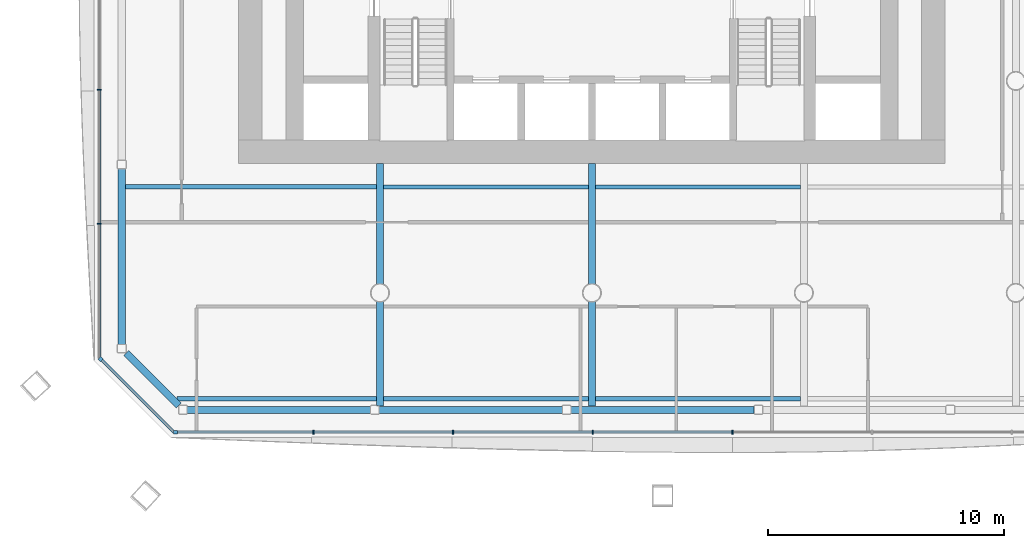
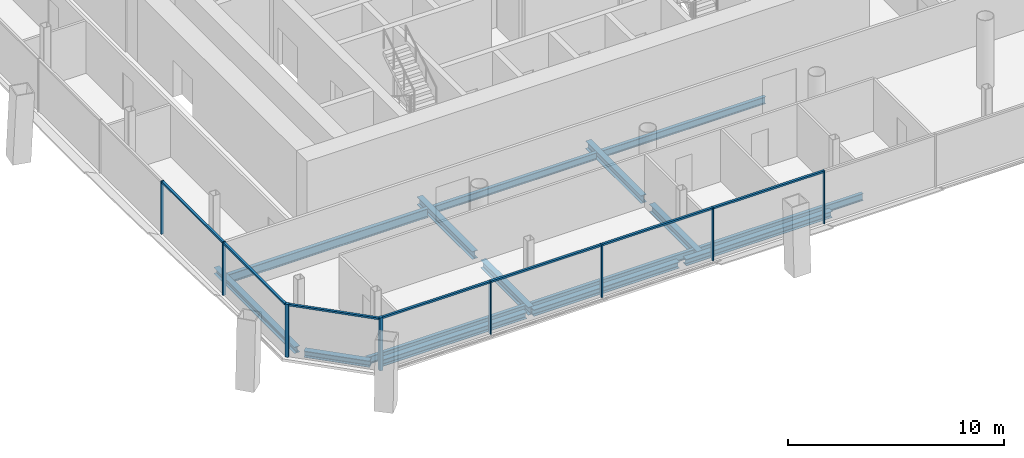
# One storey, part 3 of 19: 15 beams, 15 members, 3 elements without a shape of their own.
"""IFC4 building model written with IfcOpenShell, lengths in metres."""

from ifc_helpers import new_model, si_unit, direction, frame, origin, origin_2d, place, context, subcontext, project, spatial, rectangle, i_section, extrude, material, material_profile, profile_set, type_object, element, aggregate, save


model = new_model("IFC4")

# Units and contexts
model_context = context("Model", 3, precision=1e-05, world=origin(), true_north=direction((0.0, 1.0)))
body_context = subcontext(model_context, "Body", "Model", "MODEL_VIEW")
ifc_project = project(units=[si_unit("LENGTHUNIT", "METRE"), si_unit("AREAUNIT", "SQUARE_METRE"), si_unit("VOLUMEUNIT", "CUBIC_METRE"), si_unit("PLANEANGLEUNIT", "RADIAN"), si_unit("MASSUNIT", "GRAM", prefix="KILO")], contexts=[model_context])

# Site, building, storey
site_placement = place(None, origin())
site = spatial("IfcSite", under=ifc_project, at=site_placement, CompositionType="ELEMENT")
building_placement = place(site_placement, origin())
building = spatial("IfcBuilding", under=site, at=building_placement, Name="Tskaro Facet Tower", CompositionType="ELEMENT")
storey_placement = place(building_placement, frame((0.0, 0.0, 105.0)))
storey = spatial("IfcBuildingStorey", under=building, at=storey_placement, Name="L25", CompositionType="ELEMENT", Elevation=105.0)

# Curtain wall, member
ifc_material_1 = material(Name="Bronze anodised aluminium 6063-T6", Category="aluminium")
curtain_wall_type = type_object("IfcCurtainWallType", Name="Bronze office curtain wall (FW1)", PredefinedType="NOTDEFINED", material=ifc_material_1)
curtain_wall_1_placement = place(storey_placement, origin())
curtain_wall_1 = element("IfcCurtainWall", 1, at=curtain_wall_1_placement, inside=storey, type_object=curtain_wall_type, Name="FW1 south facet L25", PredefinedType="NOTDEFINED")
ifc_material_profile_1 = material_profile(ifc_material_1, rectangle(XDim=0.159912109375, YDim=0.159912109375, at=origin_2d()), Name="Corner post 160x160")
ifc_profile_set_1 = profile_set([ifc_material_profile_1], Name="Bronze anodised aluminium 6063-T6")
member_type_1 = type_object("IfcMemberType", Name="FW1 bronze corner post 160x160", PredefinedType="MULLION", material=ifc_profile_set_1)
member_1_placement = place(storey_placement, frame((-17.677001953125, -23.9150390625, 0.0), z_axis=(0.0, 0.0, 1.0), x_axis=(1.0, 0.0, 0.0)))
member_1 = element("IfcMember", 2, at=member_1_placement, type_object=member_type_1, Name="FW1 south corner post", PredefinedType="MULLION", context=body_context, shape_type="SweptSolid", body=[
    extrude(rectangle(XDim=0.159912109375, YDim=0.159912109375, at=origin_2d()), origin(), (0.0, 0.0, 1.0), 2.989990234375),
])

curtain_wall_2_placement = place(storey_placement, origin())
curtain_wall_2 = element("IfcCurtainWall", 3, at=curtain_wall_2_placement, inside=storey, type_object=curtain_wall_type, Name="FW1 south-west facet L25", PredefinedType="NOTDEFINED")
member_2_placement = place(storey_placement, frame((-20.8583984375, -20.8134765625, 0.0), z_axis=(0.0, 0.0, 1.0), x_axis=(0.707106781187, -0.707106781187, 0.0)))
member_2 = element("IfcMember", 4, at=member_2_placement, type_object=member_type_1, Name="FW1 south-west corner post", PredefinedType="MULLION", context=body_context, shape_type="SweptSolid", body=[
    extrude(rectangle(XDim=0.159912109375, YDim=0.159912109375, at=origin_2d()), origin(), (0.0, 0.0, 1.0), 2.989990234375),
])

# Member
ifc_material_profile_2 = material_profile(ifc_material_1, rectangle(XDim=0.06005859375, YDim=0.159912109375, at=origin_2d()), Name="Mullion 60x160")
ifc_profile_set_2 = profile_set([ifc_material_profile_2], Name="Bronze anodised aluminium 6063-T6")
member_type_2 = type_object("IfcMemberType", Name="FW1 bronze mullion 60x160", PredefinedType="MULLION", material=ifc_profile_set_2)
member_3_placement = place(storey_placement, frame((-11.826416015625, -23.9150390625, 0.0), z_axis=(0.0, 0.0, 1.0), x_axis=(1.0, 0.0, 0.0)))
member_3 = element("IfcMember", 5, at=member_3_placement, type_object=member_type_2, Name="FW1 south mullion 1", PredefinedType="MULLION", context=body_context, shape_type="SweptSolid", body=[
    extrude(rectangle(XDim=0.06005859375, YDim=0.159912109375, at=origin_2d()), origin(), (0.0, 0.0, 1.0), 2.989990234375),
])

member_4_placement = place(storey_placement, frame((-5.895751953125, -23.9150390625, 0.0), z_axis=(0.0, 0.0, 1.0), x_axis=(1.0, 0.0, 0.0)))
member_4 = element("IfcMember", 6, at=member_4_placement, type_object=member_type_2, Name="FW1 south mullion 2", PredefinedType="MULLION", context=body_context, shape_type="SweptSolid", body=[
    extrude(rectangle(XDim=0.06005859375, YDim=0.159912109375, at=origin_2d()), origin(), (0.0, 0.0, 1.0), 2.989990234375),
])

member_5_placement = place(storey_placement, frame((0.03466796875, -23.9150390625, 0.0), z_axis=(0.0, 0.0, 1.0), x_axis=(1.0, 0.0, 0.0)))
member_5 = element("IfcMember", 7, at=member_5_placement, type_object=member_type_2, Name="FW1 south mullion 3", PredefinedType="MULLION", context=body_context, shape_type="SweptSolid", body=[
    extrude(rectangle(XDim=0.06005859375, YDim=0.159912109375, at=origin_2d()), origin(), (0.0, 0.0, 1.0), 2.989990234375),
])

member_6_placement = place(storey_placement, frame((5.96533203125, -23.9150390625, 0.0), z_axis=(0.0, 0.0, 1.0), x_axis=(1.0, 0.0, 0.0)))
member_6 = element("IfcMember", 8, at=member_6_placement, type_object=member_type_2, Name="FW1 south mullion 4", PredefinedType="MULLION", context=body_context, shape_type="SweptSolid", body=[
    extrude(rectangle(XDim=0.06005859375, YDim=0.159912109375, at=origin_2d()), origin(), (0.0, 0.0, 1.0), 2.989990234375),
])

# Curtain wall, members
curtain_wall_3_placement = place(storey_placement, origin())
curtain_wall_3 = element("IfcCurtainWall", 9, at=curtain_wall_3_placement, inside=storey, type_object=curtain_wall_type, Name="FW1 west facet L25", PredefinedType="NOTDEFINED")
member_7_placement = place(storey_placement, frame((-20.9150390625, -9.3740234375, 0.0), z_axis=(0.0, 0.0, 1.0), x_axis=(0.0, -1.0, 0.0)))
member_7 = element("IfcMember", 10, at=member_7_placement, type_object=member_type_2, Name="FW1 west mullion 5", PredefinedType="MULLION", context=body_context, shape_type="SweptSolid", body=[
    extrude(rectangle(XDim=0.06005859375, YDim=0.159912109375, at=origin_2d()), origin(), (0.0, 0.0, 1.0), 2.989990234375),
])
member_8_placement = place(storey_placement, frame((-20.9150390625, -15.065673828125, 0.0), z_axis=(0.0, 0.0, 1.0), x_axis=(0.0, -1.0, 0.0)))
member_8 = element("IfcMember", 11, at=member_8_placement, type_object=member_type_2, Name="FW1 west mullion 6", PredefinedType="MULLION", context=body_context, shape_type="SweptSolid", body=[
    extrude(rectangle(XDim=0.06005859375, YDim=0.159912109375, at=origin_2d()), origin(), (0.0, 0.0, 1.0), 2.989990234375),
])

# Member
ifc_material_profile_3 = material_profile(ifc_material_1, rectangle(XDim=0.1201171875, YDim=0.10009765625, at=origin_2d()), Name="Transom 120x100")
ifc_profile_set_3 = profile_set([ifc_material_profile_3], Name="Bronze anodised aluminium 6063-T6")
member_type_3 = type_object("IfcMemberType", Name="FW1 bronze transom 120x100", PredefinedType="USERDEFINED", material=ifc_profile_set_3)
member_9_placement = place(storey_placement, frame((-17.596923828125, -23.9150390625, 2.93994140625), z_axis=(1.0, 0.0, 0.0), x_axis=(0.0, 1.0, 0.0)))
member_9 = element("IfcMember", 12, at=member_9_placement, type_object=member_type_3, Name="FW1 south transom 1.1", ObjectType="TRANSOM", PredefinedType="USERDEFINED", context=body_context, shape_type="SweptSolid", body=[
    extrude(rectangle(XDim=0.1201171875, YDim=0.10009765625, at=origin_2d()), origin(), (0.0, 0.0, 1.0), 5.740478515625),
])

member_10_placement = place(storey_placement, frame((-11.79638671875, -23.9150390625, 2.93994140625), z_axis=(1.0, 0.0, 0.0), x_axis=(0.0, 1.0, 0.0)))
member_10 = element("IfcMember", 13, at=member_10_placement, type_object=member_type_3, Name="FW1 south transom 2.1", ObjectType="TRANSOM", PredefinedType="USERDEFINED", context=body_context, shape_type="SweptSolid", body=[
    extrude(rectangle(XDim=0.1201171875, YDim=0.10009765625, at=origin_2d()), origin(), (0.0, 0.0, 1.0), 5.87060546875),
])

member_11_placement = place(storey_placement, frame((-5.865966796875, -23.9150390625, 2.93994140625), z_axis=(1.0, 0.0, 0.0), x_axis=(0.0, 1.0, 0.0)))
member_11 = element("IfcMember", 14, at=member_11_placement, type_object=member_type_3, Name="FW1 south transom 3.1", ObjectType="TRANSOM", PredefinedType="USERDEFINED", context=body_context, shape_type="SweptSolid", body=[
    extrude(rectangle(XDim=0.1201171875, YDim=0.10009765625, at=origin_2d()), origin(), (0.0, 0.0, 1.0), 5.87060546875),
])

member_12_placement = place(storey_placement, frame((0.064697265625, -23.9150390625, 2.93994140625), z_axis=(1.0, 0.0, 0.0), x_axis=(0.0, 1.0, 0.0)))
member_12 = element("IfcMember", 15, at=member_12_placement, type_object=member_type_3, Name="FW1 south transom 4.1", ObjectType="TRANSOM", PredefinedType="USERDEFINED", context=body_context, shape_type="SweptSolid", body=[
    extrude(rectangle(XDim=0.1201171875, YDim=0.10009765625, at=origin_2d()), origin(), (0.0, 0.0, 1.0), 5.87060546875),
])

aggregate(curtain_wall_1, [member_1, member_3, member_4, member_5, member_6, member_9, member_10, member_11, member_12])

member_13_placement = place(storey_placement, frame((-20.9150390625, -9.404052734375, 2.93994140625), z_axis=(0.0, -1.0, 0.0), x_axis=(1.0, 0.0, 0.0)))
member_13 = element("IfcMember", 16, at=member_13_placement, type_object=member_type_3, Name="FW1 west transom 6.1", ObjectType="TRANSOM", PredefinedType="USERDEFINED", context=body_context, shape_type="SweptSolid", body=[
    extrude(rectangle(XDim=0.1201171875, YDim=0.10009765625, at=origin_2d()), origin(), (0.0, 0.0, 1.0), 5.631591796875),
])

member_14_placement = place(storey_placement, frame((-20.9150390625, -15.095458984375, 2.93994140625), z_axis=(0.0, -1.0, 0.0), x_axis=(1.0, 0.0, 0.0)))
member_14 = element("IfcMember", 17, at=member_14_placement, type_object=member_type_3, Name="FW1 west transom 7.1", ObjectType="TRANSOM", PredefinedType="USERDEFINED", context=body_context, shape_type="SweptSolid", body=[
    extrude(rectangle(XDim=0.1201171875, YDim=0.10009765625, at=origin_2d()), origin(), (0.0, 0.0, 1.0), 5.66162109375),
])

aggregate(curtain_wall_3, [member_7, member_8, member_13, member_14])

member_15_placement = place(storey_placement, frame((-20.8017578125, -20.8701171875, 2.93994140625), z_axis=(0.707078431712, -0.707135129525, 0.0), x_axis=(0.707135129525, 0.707078431712, 0.0)))
member_15 = element("IfcMember", 18, at=member_15_placement, type_object=member_type_3, Name="FW1 south-west transom 1.1", ObjectType="TRANSOM", PredefinedType="USERDEFINED", context=body_context, shape_type="SweptSolid", body=[
    extrude(rectangle(XDim=0.1201171875, YDim=0.10009765625, at=origin_2d()), origin(), (0.0, 0.0, 1.0), 4.305908203125),
])

aggregate(curtain_wall_2, [member_2, member_15])

# Beams
ifc_material_2 = material(Name="Steel S355J2", Category="steel")
ifc_material_profile_4 = material_profile(ifc_material_2, i_section(OverallWidth=0.300048828125, OverallDepth=0.360107421875, WebThickness=0.012451171875, FlangeThickness=0.0224609375, FilletRadius=0.027099609375, at=origin_2d()), Name="HE 360 B")
ifc_profile_set_4 = profile_set([ifc_material_profile_4], Name="Steel S355J2")
beam_type_1 = type_object("IfcBeamType", Name="HE 360 B ring beam", PredefinedType="BEAM", material=ifc_profile_set_4)
beam_1_placement = place(storey_placement, frame((-17.18408203125, -22.965087890625, -0.320068359375), z_axis=(1.0, 0.0, 0.0), x_axis=(0.0, 1.0, 0.0)))
element("IfcBeam", 19, at=beam_1_placement, inside=storey, type_object=beam_type_1, Name="HE 360 B EB1-2", PredefinedType="BEAM", context=body_context, shape_type="SweptSolid", body=[
    extrude(i_section(OverallWidth=0.300048828125, OverallDepth=0.360107421875, WebThickness=0.012451171875, FlangeThickness=0.0224609375, FilletRadius=0.027099609375, at=origin_2d()), origin(), (0.0, 0.0, 1.0), 7.7861328125),
])
beam_2_placement = place(storey_placement, frame((-9.0380859375, -22.965087890625, -0.320068359375), z_axis=(1.0, 0.0, 0.0), x_axis=(0.0, 1.0, 0.0)))
element("IfcBeam", 20, at=beam_2_placement, inside=storey, type_object=beam_type_1, Name="HE 360 B EB2-2", PredefinedType="BEAM", context=body_context, shape_type="SweptSolid", body=[
    extrude(i_section(OverallWidth=0.300048828125, OverallDepth=0.360107421875, WebThickness=0.012451171875, FlangeThickness=0.0224609375, FilletRadius=0.027099609375, at=origin_2d()), origin(), (0.0, 0.0, 1.0), 7.78515625),
])
beam_3_placement = place(storey_placement, frame((-0.89306640625, -22.965087890625, -0.320068359375), z_axis=(1.0, 0.0, 0.0), x_axis=(0.0, 1.0, 0.0)))
element("IfcBeam", 21, at=beam_3_placement, inside=storey, type_object=beam_type_1, Name="HE 360 B EB3-2", PredefinedType="BEAM", context=body_context, shape_type="SweptSolid", body=[
    extrude(i_section(OverallWidth=0.300048828125, OverallDepth=0.360107421875, WebThickness=0.012451171875, FlangeThickness=0.0224609375, FilletRadius=0.027099609375, at=origin_2d()), origin(), (0.0, 0.0, 1.0), 7.7861328125),
])
beam_4_placement = place(storey_placement, frame((-19.965087890625, -12.73291015625, -0.320068359375), z_axis=(0.0, -1.0, 0.0), x_axis=(1.0, 0.0, 0.0)))
element("IfcBeam", 22, at=beam_4_placement, inside=storey, type_object=beam_type_1, Name="HE 360 B EB23-2", PredefinedType="BEAM", context=body_context, shape_type="SweptSolid", body=[
    extrude(i_section(OverallWidth=0.300048828125, OverallDepth=0.360107421875, WebThickness=0.012451171875, FlangeThickness=0.0224609375, FilletRadius=0.027099609375, at=origin_2d()), origin(), (0.0, 0.0, 1.0), 7.451171875),
])
beam_5_placement = place(storey_placement, frame((-19.779052734375, -20.5498046875, -0.320068359375), z_axis=(0.707106781187, -0.707106781187, 0.0), x_axis=(0.707106781187, 0.707106781187, 0.0)))
element("IfcBeam", 23, at=beam_5_placement, inside=storey, type_object=beam_type_1, Name="HE 360 B EB24-2", PredefinedType="BEAM", context=body_context, shape_type="SweptSolid", body=[
    extrude(i_section(OverallWidth=0.300048828125, OverallDepth=0.360107421875, WebThickness=0.012451171875, FlangeThickness=0.0224609375, FilletRadius=0.027099609375, at=origin_2d()), origin(), (0.0, 0.0, 1.0), 3.152587890625),
])
ifc_material_profile_5 = material_profile(ifc_material_2, i_section(OverallWidth=0.300048828125, OverallDepth=0.43994140625, WebThickness=0.011474609375, FlangeThickness=0.02099609375, FilletRadius=0.027099609375, at=origin_2d()), Name="HE 450 A")
ifc_profile_set_5 = profile_set([ifc_material_profile_5], Name="Steel S355J2")
beam_type_2 = type_object("IfcBeamType", Name="HE 450 A girder", PredefinedType="BEAM", material=ifc_profile_set_5)
beam_6_placement = place(storey_placement, frame((-9.0, -22.81494140625, -0.360107421875), z_axis=(0.0, 1.0, 0.0), x_axis=(-1.0, 0.0, 0.0)))
element("IfcBeam", 24, at=beam_6_placement, inside=storey, type_object=beam_type_2, Name="HE 450 A GB3-1-2", PredefinedType="BEAM", context=body_context, shape_type="SweptSolid", body=[
    extrude(i_section(OverallWidth=0.300048828125, OverallDepth=0.43994140625, WebThickness=0.011474609375, FlangeThickness=0.02099609375, FilletRadius=0.027099609375, at=origin_2d()), origin(), (0.0, 0.0, 1.0), 4.4384765625),
])
beam_7_placement = place(storey_placement, frame((-9.0, -17.62353515625, -0.360107421875), z_axis=(0.0, 1.0, 0.0), x_axis=(-1.0, 0.0, 0.0)))
element("IfcBeam", 25, at=beam_7_placement, inside=storey, type_object=beam_type_2, Name="HE 450 A GB3-2-2", PredefinedType="BEAM", context=body_context, shape_type="SweptSolid", body=[
    extrude(i_section(OverallWidth=0.300048828125, OverallDepth=0.43994140625, WebThickness=0.011474609375, FlangeThickness=0.02099609375, FilletRadius=0.027099609375, at=origin_2d()), origin(), (0.0, 0.0, 1.0), 5.12353515625),
])
beam_8_placement = place(storey_placement, frame((0.0, -22.81494140625, -0.360107421875), z_axis=(0.0, 1.0, 0.0), x_axis=(-1.0, 0.0, 0.0)))
element("IfcBeam", 26, at=beam_8_placement, inside=storey, type_object=beam_type_2, Name="HE 450 A GB4-1-2", PredefinedType="BEAM", context=body_context, shape_type="SweptSolid", body=[
    extrude(i_section(OverallWidth=0.300048828125, OverallDepth=0.43994140625, WebThickness=0.011474609375, FlangeThickness=0.02099609375, FilletRadius=0.027099609375, at=origin_2d()), origin(), (0.0, 0.0, 1.0), 4.4384765625),
])
beam_9_placement = place(storey_placement, frame((0.0, -17.62353515625, -0.360107421875), z_axis=(0.0, 1.0, 0.0), x_axis=(-1.0, 0.0, 0.0)))
element("IfcBeam", 27, at=beam_9_placement, inside=storey, type_object=beam_type_2, Name="HE 450 A GB4-2-2", PredefinedType="BEAM", context=body_context, shape_type="SweptSolid", body=[
    extrude(i_section(OverallWidth=0.300048828125, OverallDepth=0.43994140625, WebThickness=0.011474609375, FlangeThickness=0.02099609375, FilletRadius=0.027099609375, at=origin_2d()), origin(), (0.0, 0.0, 1.0), 5.12353515625),
])
ifc_material_profile_6 = material_profile(ifc_material_2, i_section(OverallWidth=0.179931640625, OverallDepth=0.39990234375, WebThickness=0.008544921875, FlangeThickness=0.013427734375, FilletRadius=0.02099609375, at=origin_2d()), Name="IPE 400")
ifc_profile_set_6 = profile_set([ifc_material_profile_6], Name="Steel S355J2")
beam_type_3 = type_object("IfcBeamType", Name="IPE 400 secondary beam", PredefinedType="BEAM", material=ifc_profile_set_6)
beam_10_placement = place(storey_placement, frame((-17.616943359375, -22.5, -0.340087890625), z_axis=(1.0, 0.0, 0.0), x_axis=(0.0, 1.0, 0.0)))
element("IfcBeam", 28, at=beam_10_placement, inside=storey, type_object=beam_type_3, Name="IPE 400 SB1a-1-2", PredefinedType="BEAM", context=body_context, shape_type="SweptSolid", body=[
    extrude(i_section(OverallWidth=0.179931640625, OverallDepth=0.39990234375, WebThickness=0.008544921875, FlangeThickness=0.013427734375, FilletRadius=0.02099609375, at=origin_2d()), origin(), (0.0, 0.0, 1.0), 8.467041015625),
])
for number, where, z_axis, x_axis, name in (
    (29, (-8.85009765625, -22.5, -0.340087890625), (1.0, 0.0, 0.0), (0.0, 1.0, 0.0), "IPE 400 SB1a-2-2"),
    (30, (0.14990234375, -22.5, -0.340087890625), (1.0, 0.0, 0.0), (0.0, 1.0, 0.0), "IPE 400 SB1a-3-2"),
    (31, (-8.85009765625, -13.5, -0.340087890625), (1.0, 0.0, 0.0), (0.0, 1.0, 0.0), "IPE 400 SB2a-2-2"),
    (32, (0.14990234375, -13.5, -0.340087890625), (1.0, 0.0, 0.0), (0.0, 1.0, 0.0), "IPE 400 SB2a-3-2"),
):
    element("IfcBeam", number, at=place(storey_placement, frame(where, z_axis=z_axis, x_axis=x_axis)), inside=storey, type_object=beam_type_3, Name=name, PredefinedType="BEAM", context=body_context, shape_type="SweptSolid", body=[
        extrude(i_section(OverallWidth=0.179931640625, OverallDepth=0.39990234375, WebThickness=0.008544921875, FlangeThickness=0.013427734375, FilletRadius=0.02099609375, at=origin_2d()), origin(), (0.0, 0.0, 1.0), 8.7001953125),
    ])
ifc_material_profile_7 = material_profile(ifc_material_2, i_section(OverallWidth=0.199951171875, OverallDepth=0.5, WebThickness=0.01025390625, FlangeThickness=0.01611328125, FilletRadius=0.02099609375, at=origin_2d()), Name="IPE 500")
ifc_profile_set_7 = profile_set([ifc_material_profile_7], Name="Steel S355J2")
beam_type_4 = type_object("IfcBeamType", Name="IPE 500 long secondary beam", PredefinedType="BEAM", material=ifc_profile_set_7)
beam_11_placement = place(storey_placement, frame((-19.81494140625, -13.5, -0.389892578125), z_axis=(1.0, 0.0, 0.0), x_axis=(0.0, 1.0, 0.0)))
element("IfcBeam", 33, at=beam_11_placement, inside=storey, type_object=beam_type_4, Name="IPE 500 LSB2a-1-2", PredefinedType="BEAM", context=body_context, shape_type="SweptSolid", body=[
    extrude(i_section(OverallWidth=0.199951171875, OverallDepth=0.5, WebThickness=0.01025390625, FlangeThickness=0.01611328125, FilletRadius=0.02099609375, at=origin_2d()), origin(), (0.0, 0.0, 1.0), 10.6650390625),
])

save(model, "model.ifc")
